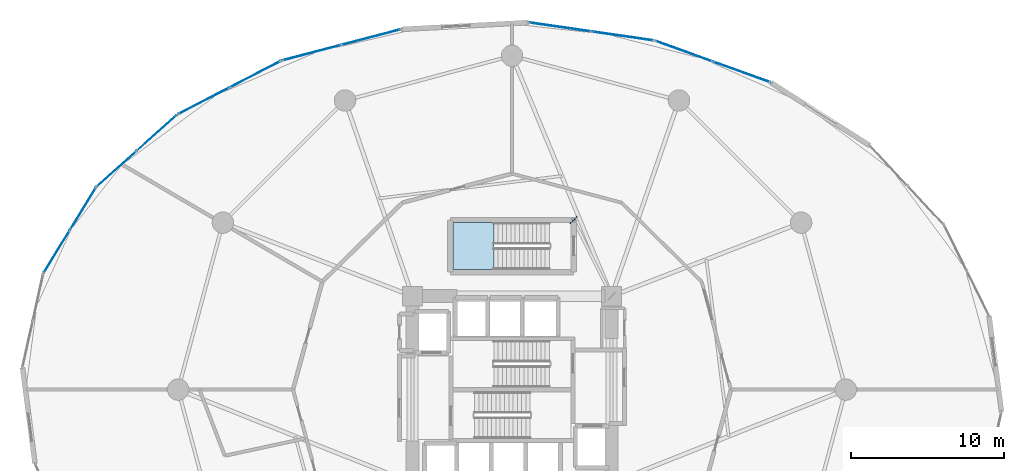
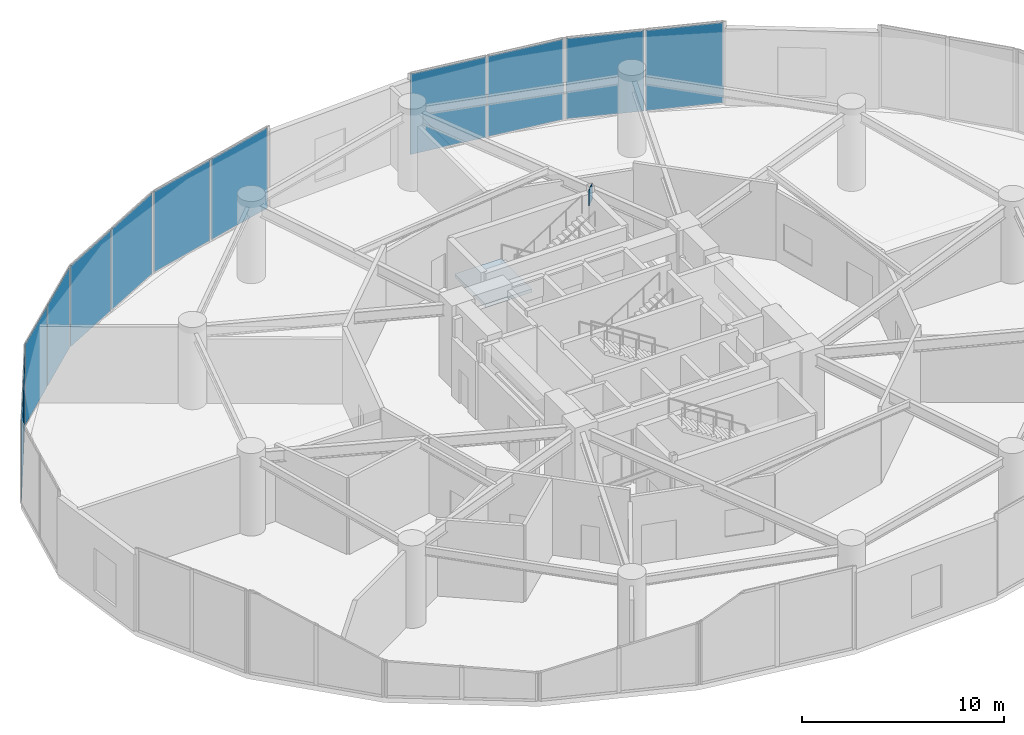
# One storey, part 24 of 31: 13 plates, 1 slab, 7 elements without a shape of their own.
"""IFC4 building model written with IfcOpenShell, lengths in metres."""

from ifc_helpers import new_model, si_unit, direction, frame, origin, origin_2d, place, context, subcontext, project, spatial, polyline, rectangle, outline, extrude, source, transform, mapped, material, layer, layer_set, type_object, element, aggregate, save


model = new_model("IFC4")

# Units and contexts
model_context = context("Model", 3, precision=1e-05, world=origin(), true_north=direction((0.0, 1.0)))
body_context = subcontext(model_context, "Body", "Model", "MODEL_VIEW")
ifc_project = project(units=[si_unit("LENGTHUNIT", "METRE"), si_unit("AREAUNIT", "SQUARE_METRE"), si_unit("VOLUMEUNIT", "CUBIC_METRE"), si_unit("PLANEANGLEUNIT", "RADIAN"), si_unit("MASSUNIT", "GRAM", prefix="KILO")], contexts=[model_context])

# Site, building, storey
site_placement = place(None, origin())
site = spatial("IfcSite", under=ifc_project, at=site_placement, CompositionType="ELEMENT")
building_placement = place(site_placement, origin())
building = spatial("IfcBuilding", under=site, at=building_placement, Name="Solvirekh Grand Hotel", CompositionType="ELEMENT")
storey_placement = place(building_placement, frame((0.0, 0.0, 18.60009765625)))
storey = spatial("IfcBuildingStorey", under=building, at=storey_placement, Name="L03", CompositionType="ELEMENT", Elevation=18.60009765625)

# Stair, slab
ifc_material_1 = material(Name="Steel S355", Category="steel")
stair_type = type_object("IfcStairType", Name="Stair_Grand_2000", PredefinedType="STRAIGHT_RUN_STAIR", material=ifc_material_1)
stair_placement = place(storey_placement, origin())
stair = element("IfcStair", 1, at=stair_placement, inside=storey, type_object=stair_type, Name="L03 Enclosed exit stair ST-4", PredefinedType="STRAIGHT_RUN_STAIR")
ifc_material_2 = material(Name="Concrete C40/50", Category="concrete")
ifc_layer_1 = layer(ifc_material_2, 0.219970703125)
ifc_layer_set_1 = layer_set([ifc_layer_1], Name="Concrete C40/50")
slab_type = type_object("IfcSlabType", Name="Landing_PodStair_220", PredefinedType="LANDING", material=ifc_layer_set_1)
slab_placement = place(storey_placement, frame((0.0, 0.0, 2.2998046875)))
slab = element("IfcSlab", 2, at=slab_placement, type_object=slab_type, Name="ST-4 landing 1", PredefinedType="LANDING", context=body_context, shape_type="SweptSolid", body=[
    extrude(outline(polyline([(-1.18994140625, 10.89990234375), (-3.85009765625, 10.89990234375), (-3.85009765625, 7.85009765625), (-1.18994140625, 7.85009765625), (-1.18994140625, 10.89990234375)])), origin(), (0.0, 0.0, 1.0), 0.2001953125),
])
aggregate(stair, [slab])

# Plate
ifc_layer_2 = layer(ifc_material_1, 0.0400390625)
ifc_layer_set_2 = layer_set([ifc_layer_2], Name="Steel S355")
plate_type_1 = type_object("IfcPlateType", Name="NodeCapPlate_40", PredefinedType="SHEET", material=ifc_layer_set_2)
plate_1_placement = place(storey_placement, frame((4.02490234375, 11.074951171875, 3.97509765625), z_axis=(0.0, 0.0, 1.0), x_axis=(-0.707106781187, 0.707106781187, 0.0)))
element("IfcPlate", 3, at=plate_1_placement, inside=storey, type_object=plate_type_1, Name="L03 hollow-section node plate NP-L03-SG4B", PredefinedType="SHEET", context=body_context, shape_type="SweptSolid", body=[
    extrude(rectangle(XDim=0.0400390625, YDim=0.64990234375, at=origin_2d()), origin(), (0.0, 0.0, 1.0), 0.949951171875),
])

# Curtain wall, plates
ifc_material_3 = material(Name="Anodized Bronze Aluminium 6063-T6", Category="aluminium")
ifc_layer_3 = layer(ifc_material_3, 0.219970703125)
ifc_layer_set_3 = layer_set([ifc_layer_3], Name="Anodized Bronze Aluminium 6063-T6")
curtain_wall_type = type_object("IfcCurtainWallType", Name="CW_Sys1_PodiumBronzeUnitised", PredefinedType="NOTDEFINED", material=ifc_layer_set_3)
curtain_wall_1_placement = place(storey_placement, origin())
curtain_wall_1 = element("IfcCurtainWall", 4, at=curtain_wall_1_placement, inside=storey, type_object=curtain_wall_type, Name="L03 unitised bronze-glass curtain wall CW-L03-C05", PredefinedType="NOTDEFINED")
ifc_material_4 = material(Name="Low-E Tinted Bronze Laminated Glass", Category="aluminium")
ifc_layer_4 = layer(ifc_material_4, 0.0439453125)
ifc_layer_set_4 = layer_set([ifc_layer_4], Name="Low-E Tinted Bronze Laminated Glass")
plate_type_2 = type_object("IfcPlateType", Name="CWPanel_Podium_44", PredefinedType="CURTAIN_PANEL", material=ifc_layer_set_4)
shared_shape_1 = source(origin(), body_context, "Body", "SweptSolid", [
    extrude(rectangle(XDim=3.92822265625, YDim=0.0439453125, at=origin_2d()), origin(), (0.0, 0.0, 1.0), 4.8701171875),
])
plate_2_placement = place(storey_placement, frame((14.99365234375, 20.740478515625, 0.06494140625), z_axis=(0.0, 0.0, 1.0), x_axis=(-0.940772208505, 0.339039307019, 0.0)))
plate_2 = element("IfcPlate", 5, at=plate_2_placement, type_object=plate_type_2, Name="U01 panel 1.1", PredefinedType="CURTAIN_PANEL", context=body_context, shape_type="MappedRepresentation", body=[
    mapped(shared_shape_1, transform((0.0, 0.0, 0.0), x_axis=(1.0, 0.0, 0.0), y_axis=(0.0, 1.0, 0.0), z_axis=(0.0, 0.0, 1.0), scale=1.0)),
])
plate_3_placement = place(storey_placement, frame((11.227294921875, 22.09765625, 0.06494140625), z_axis=(0.0, 0.0, 1.0), x_axis=(-0.940772208505, 0.339039307019, 0.0)))
plate_3 = element("IfcPlate", 6, at=plate_3_placement, type_object=plate_type_2, Name="U01 panel 2.1", PredefinedType="CURTAIN_PANEL", context=body_context, shape_type="MappedRepresentation", body=[
    mapped(shared_shape_1, transform((0.0, 0.0, 0.0), x_axis=(1.0, 0.0, 0.0), y_axis=(0.0, 1.0, 0.0), z_axis=(0.0, 0.0, 1.0), scale=1.0)),
])
aggregate(curtain_wall_1, [plate_2, plate_3])

curtain_wall_2_placement = place(storey_placement, origin())
curtain_wall_2 = element("IfcCurtainWall", 7, at=curtain_wall_2_placement, inside=storey, type_object=curtain_wall_type, Name="L03 unitised bronze-glass curtain wall CW-L03-C06", PredefinedType="NOTDEFINED")
shared_shape_2 = source(origin(), body_context, "Body", "SweptSolid", [
    extrude(rectangle(XDim=4.048583984375, YDim=0.0439453125, at=origin_2d()), origin(), (0.0, 0.0, 1.0), 4.8701171875),
])
plate_4_placement = place(storey_placement, frame((7.231201171875, 23.08837890625, 0.06494140625), z_axis=(0.0, 0.0, 1.0), x_axis=(-0.989775719157, 0.142632484965, 0.0)))
plate_4 = element("IfcPlate", 8, at=plate_4_placement, type_object=plate_type_2, Name="U01 panel 1.1", PredefinedType="CURTAIN_PANEL", context=body_context, shape_type="MappedRepresentation", body=[
    mapped(shared_shape_2, transform((0.0, 0.0, 0.0), x_axis=(1.0, 0.0, 0.0), y_axis=(0.0, 1.0, 0.0), z_axis=(0.0, 0.0, 1.0), scale=1.0)),
])
plate_5_placement = place(storey_placement, frame((3.14990234375, 23.676513671875, 0.06494140625), z_axis=(0.0, 0.0, 1.0), x_axis=(-0.989775719157, 0.142632484965, 0.0)))
plate_5 = element("IfcPlate", 9, at=plate_5_placement, type_object=plate_type_2, Name="U01 panel 2.1", PredefinedType="CURTAIN_PANEL", context=body_context, shape_type="MappedRepresentation", body=[
    mapped(shared_shape_2, transform((0.0, 0.0, 0.0), x_axis=(1.0, 0.0, 0.0), y_axis=(0.0, 1.0, 0.0), z_axis=(0.0, 0.0, 1.0), scale=1.0)),
])
aggregate(curtain_wall_2, [plate_4, plate_5])

curtain_wall_3_placement = place(storey_placement, origin())
curtain_wall_3 = element("IfcCurtainWall", 10, at=curtain_wall_3_placement, inside=storey, type_object=curtain_wall_type, Name="L03 unitised bronze-glass curtain wall CW-L03-C08", PredefinedType="NOTDEFINED")
shared_shape_3 = source(origin(), body_context, "Body", "SweptSolid", [
    extrude(rectangle(XDim=3.9287109375, YDim=0.0439453125, at=origin_2d()), origin(), (0.0, 0.0, 1.0), 4.8701171875),
])
plate_6_placement = place(storey_placement, frame((-9.210693359375, 23.01171875, 0.06494140625), z_axis=(0.0, 0.0, 1.0), x_axis=(-0.967298536985, -0.253640573146, 0.0)))
plate_6 = element("IfcPlate", 11, at=plate_6_placement, type_object=plate_type_2, Name="U01 panel 1.1", PredefinedType="CURTAIN_PANEL", context=body_context, shape_type="MappedRepresentation", body=[
    mapped(shared_shape_3, transform((0.0, 0.0, 0.0), x_axis=(1.0, 0.0, 0.0), y_axis=(0.0, 1.0, 0.0), z_axis=(0.0, 0.0, 1.0), scale=1.0)),
])
plate_7_placement = place(storey_placement, frame((-13.083251953125, 21.996337890625, 0.06494140625), z_axis=(0.0, 0.0, 1.0), x_axis=(-0.967298536985, -0.253640573146, 0.0)))
plate_7 = element("IfcPlate", 12, at=plate_7_placement, type_object=plate_type_2, Name="U01 panel 2.1", PredefinedType="CURTAIN_PANEL", context=body_context, shape_type="MappedRepresentation", body=[
    mapped(shared_shape_3, transform((0.0, 0.0, 0.0), x_axis=(1.0, 0.0, 0.0), y_axis=(0.0, 1.0, 0.0), z_axis=(0.0, 0.0, 1.0), scale=1.0)),
])
aggregate(curtain_wall_3, [plate_6, plate_7])

curtain_wall_4_placement = place(storey_placement, origin())
curtain_wall_4 = element("IfcCurtainWall", 13, at=curtain_wall_4_placement, inside=storey, type_object=curtain_wall_type, Name="L03 unitised bronze-glass curtain wall CW-L03-C09", PredefinedType="NOTDEFINED")
shared_shape_4 = source(origin(), body_context, "Body", "SweptSolid", [
    extrude(rectangle(XDim=3.7109375, YDim=0.0439453125, at=origin_2d()), origin(), (0.0, 0.0, 1.0), 4.8701171875),
])
plate_8_placement = place(storey_placement, frame((-16.7705078125, 20.591552734375, 0.06494140625), z_axis=(0.0, 0.0, 1.0), x_axis=(-0.888088796713, -0.459671936443, 0.0)))
plate_8 = element("IfcPlate", 14, at=plate_8_placement, type_object=plate_type_2, Name="U01 panel 1.1", PredefinedType="CURTAIN_PANEL", context=body_context, shape_type="MappedRepresentation", body=[
    mapped(shared_shape_4, transform((0.0, 0.0, 0.0), x_axis=(1.0, 0.0, 0.0), y_axis=(0.0, 1.0, 0.0), z_axis=(0.0, 0.0, 1.0), scale=1.0)),
])
plate_9_placement = place(storey_placement, frame((-20.132568359375, 18.851318359375, 0.06494140625), z_axis=(0.0, 0.0, 1.0), x_axis=(-0.888088796713, -0.459671936443, 0.0)))
plate_9 = element("IfcPlate", 15, at=plate_9_placement, type_object=plate_type_2, Name="U01 panel 2.1", PredefinedType="CURTAIN_PANEL", context=body_context, shape_type="MappedRepresentation", body=[
    mapped(shared_shape_4, transform((0.0, 0.0, 0.0), x_axis=(1.0, 0.0, 0.0), y_axis=(0.0, 1.0, 0.0), z_axis=(0.0, 0.0, 1.0), scale=1.0)),
])
aggregate(curtain_wall_4, [plate_8, plate_9])

curtain_wall_5_placement = place(storey_placement, origin())
curtain_wall_5 = element("IfcCurtainWall", 16, at=curtain_wall_5_placement, inside=storey, type_object=curtain_wall_type, Name="L03 unitised bronze-glass curtain wall CW-L03-C10", PredefinedType="NOTDEFINED")
shared_shape_5 = source(origin(), body_context, "Body", "SweptSolid", [
    extrude(rectangle(XDim=3.44287109375, YDim=0.0439453125, at=origin_2d()), origin(), (0.0, 0.0, 1.0), 4.8701171875),
])
plate_10_placement = place(storey_placement, frame((-23.1865234375, 16.76708984375, 0.06494140625), z_axis=(0.0, 0.0, 1.0), x_axis=(-0.745653127174, -0.66633431094, 0.0)))
plate_10 = element("IfcPlate", 17, at=plate_10_placement, type_object=plate_type_2, Name="U01 panel 1.1", PredefinedType="CURTAIN_PANEL", context=body_context, shape_type="MappedRepresentation", body=[
    mapped(shared_shape_5, transform((0.0, 0.0, 0.0), x_axis=(1.0, 0.0, 0.0), y_axis=(0.0, 1.0, 0.0), z_axis=(0.0, 0.0, 1.0), scale=1.0)),
])
plate_11_placement = place(storey_placement, frame((-25.8095703125, 14.423095703125, 0.06494140625), z_axis=(0.0, 0.0, 1.0), x_axis=(-0.745653127174, -0.66633431094, 0.0)))
plate_11 = element("IfcPlate", 18, at=plate_11_placement, type_object=plate_type_2, Name="U01 panel 2.1", PredefinedType="CURTAIN_PANEL", context=body_context, shape_type="MappedRepresentation", body=[
    mapped(shared_shape_5, transform((0.0, 0.0, 0.0), x_axis=(1.0, 0.0, 0.0), y_axis=(0.0, 1.0, 0.0), z_axis=(0.0, 0.0, 1.0), scale=1.0)),
])
aggregate(curtain_wall_5, [plate_10, plate_11])

curtain_wall_6_placement = place(storey_placement, origin())
curtain_wall_6 = element("IfcCurtainWall", 19, at=curtain_wall_6_placement, inside=storey, type_object=curtain_wall_type, Name="L03 unitised bronze-glass curtain wall CW-L03-C11", PredefinedType="NOTDEFINED")
shared_shape_6 = source(origin(), body_context, "Body", "SweptSolid", [
    extrude(rectangle(XDim=3.19384765625, YDim=0.0439453125, at=origin_2d()), origin(), (0.0, 0.0, 1.0), 4.8701171875),
])
plate_12_placement = place(storey_placement, frame((-28.021728515625, 11.800048828125, 0.06494140625), z_axis=(0.0, 0.0, 1.0), x_axis=(-0.522037124212, -0.852922763762, 0.0)))
plate_12 = element("IfcPlate", 20, at=plate_12_placement, type_object=plate_type_2, Name="U01 panel 1.1", PredefinedType="CURTAIN_PANEL", context=body_context, shape_type="MappedRepresentation", body=[
    mapped(shared_shape_6, transform((0.0, 0.0, 0.0), x_axis=(1.0, 0.0, 0.0), y_axis=(0.0, 1.0, 0.0), z_axis=(0.0, 0.0, 1.0), scale=1.0)),
])
plate_13_placement = place(storey_placement, frame((-29.728271484375, 9.011962890625, 0.06494140625), z_axis=(0.0, 0.0, 1.0), x_axis=(-0.522037124212, -0.852922763762, 0.0)))
plate_13 = element("IfcPlate", 21, at=plate_13_placement, type_object=plate_type_2, Name="U01 panel 2.1", PredefinedType="CURTAIN_PANEL", context=body_context, shape_type="MappedRepresentation", body=[
    mapped(shared_shape_6, transform((0.0, 0.0, 0.0), x_axis=(1.0, 0.0, 0.0), y_axis=(0.0, 1.0, 0.0), z_axis=(0.0, 0.0, 1.0), scale=1.0)),
])
aggregate(curtain_wall_6, [plate_12, plate_13])

save(model, "model.ifc")
